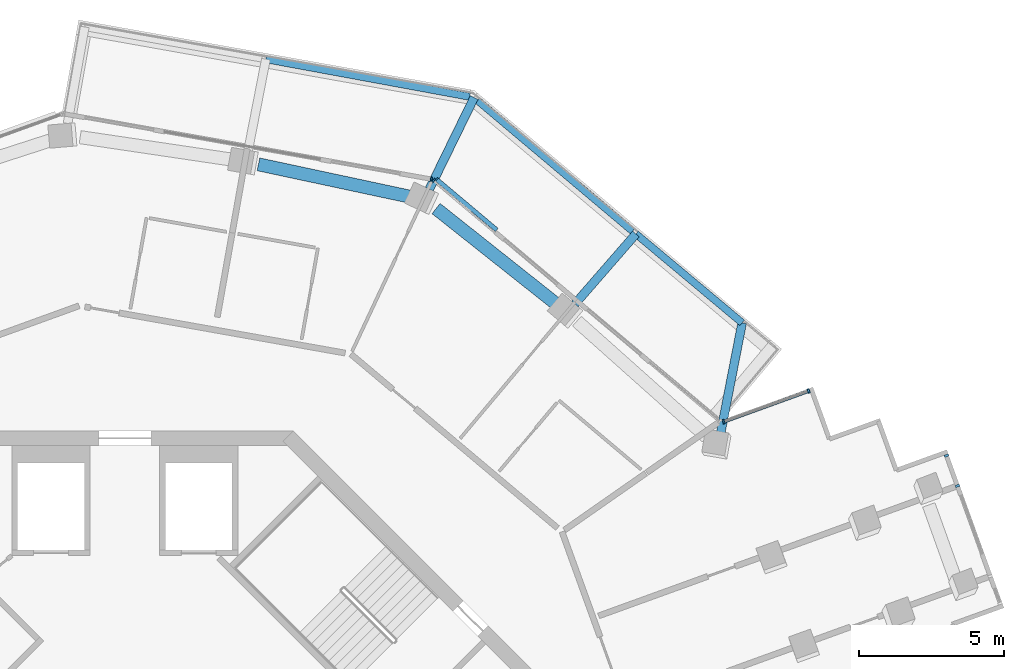
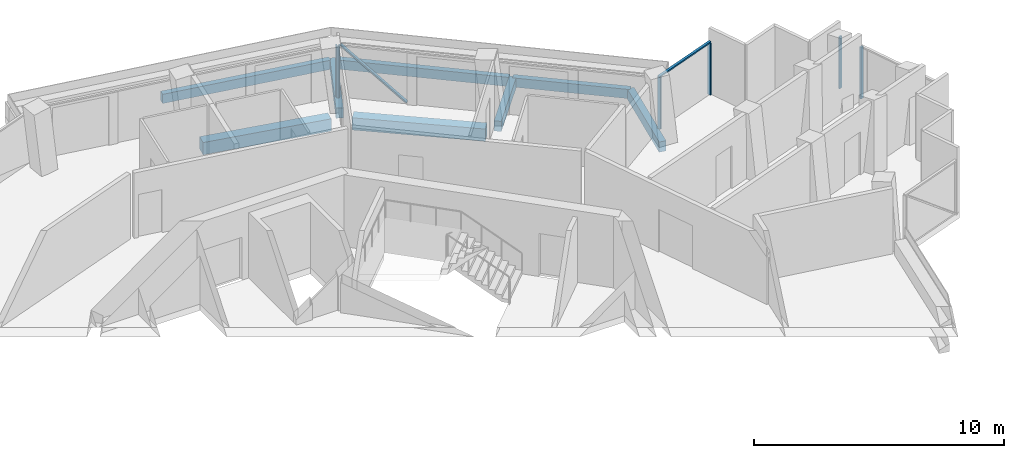
# One storey, part 8 of 22: 8 beams, 8 members, 4 elements without a shape of their own.
"""IFC4 building model written with IfcOpenShell, lengths in metres."""

from ifc_helpers import new_model, si_unit, direction, frame, origin, origin_2d, place, context, subcontext, project, spatial, rectangle, extrude, material, layer, layer_set, material_profile, profile_set, type_object, element, aggregate, save


model = new_model("IFC4")

# Units and contexts
model_context = context("Model", 3, precision=1e-05, world=origin(), true_north=direction((0.0, 1.0)))
body_context = subcontext(model_context, "Body", "Model", "MODEL_VIEW")
ifc_project = project(units=[si_unit("LENGTHUNIT", "METRE"), si_unit("AREAUNIT", "SQUARE_METRE"), si_unit("VOLUMEUNIT", "CUBIC_METRE"), si_unit("PLANEANGLEUNIT", "RADIAN"), si_unit("MASSUNIT", "GRAM", prefix="KILO")], contexts=[model_context])

# Site, building, storey
site_placement = place(None, origin())
site = spatial("IfcSite", under=ifc_project, at=site_placement, CompositionType="ELEMENT")
building_placement = place(site_placement, origin())
building = spatial("IfcBuilding", under=site, at=building_placement, Name="Verdalira Terraces Hotel", CompositionType="ELEMENT")
storey_placement = place(building_placement, frame((0.0, 0.0, 237.5)))
storey = spatial("IfcBuildingStorey", under=building, at=storey_placement, Name="L58", CompositionType="ELEMENT", Elevation=237.5)

# Beams
ifc_material_1 = material(Name="Concrete C40", Category="concrete")
ifc_material_profile_1 = material_profile(ifc_material_1, rectangle(XDim=0.300049, YDim=0.5, at=origin_2d()), Name="RC 300X500")
ifc_profile_set_1 = profile_set([ifc_material_profile_1], Name="Concrete C40")
beam_type_1 = type_object("IfcBeamType", Name="Balcony cantilever beam RC 300X500 C40", PredefinedType="BEAM", material=ifc_profile_set_1)
beam_1_placement = place(storey_placement, frame((20.531006, 13.851318, -0.560059), z_axis=(0.191537951, 0.981485208, 0.0), x_axis=(-0.981485208, 0.191537951, 0.0)))
element("IfcBeam", 1, at=beam_1_placement, inside=storey, type_object=beam_type_1, Name="Balcony cantilever beam R39-1", PredefinedType="BEAM", context=body_context, shape_type="SweptSolid", body=[
    extrude(rectangle(XDim=0.300049, YDim=0.5, at=origin_2d()), origin(), (0.0, 0.0, 1.0), 3.950195),
])
beam_2_placement = place(storey_placement, frame((15.521973, 18.381104, -0.560059), z_axis=(0.656601631, 0.754237561, 0.0), x_axis=(-0.754237561, 0.656601631, 0.0)))
element("IfcBeam", 2, at=beam_2_placement, inside=storey, type_object=beam_type_1, Name="Balcony cantilever beam R39-2", PredefinedType="BEAM", context=body_context, shape_type="SweptSolid", body=[
    extrude(rectangle(XDim=0.300049, YDim=0.5, at=origin_2d()), origin(), (0.0, 0.0, 1.0), 3.200684),
])
beam_3_placement = place(storey_placement, frame((10.502441, 22.339844, -0.560059), z_axis=(0.439024454, 0.898475113, 0.0), x_axis=(-0.898475113, 0.439024454, 0.0)))
element("IfcBeam", 3, at=beam_3_placement, inside=storey, type_object=beam_type_1, Name="Balcony cantilever beam R39-3", PredefinedType="BEAM", context=body_context, shape_type="SweptSolid", body=[
    extrude(rectangle(XDim=0.300049, YDim=0.5, at=origin_2d()), origin(), (0.0, 0.0, 1.0), 3.513916),
])
ifc_material_2 = material(Name="Concrete C40", Category="concrete")
ifc_material_profile_2 = material_profile(ifc_material_2, rectangle(XDim=0.25, YDim=0.449951, at=origin_2d()), Name="RC 250X450")
ifc_profile_set_2 = profile_set([ifc_material_profile_2], Name="Concrete C40")
beam_type_2 = type_object("IfcBeamType", Name="Balcony edge beam RC 250X450 C40", PredefinedType="BEAM", material=ifc_profile_set_2)
beam_4_placement = place(storey_placement, frame((21.287598, 17.728271, -0.534912), z_axis=(-0.766829022, 0.641851424, 0.0), x_axis=(-0.641851424, -0.766829022, 0.0)))
element("IfcBeam", 4, at=beam_4_placement, inside=storey, type_object=beam_type_2, Name="Balcony edge beam R39-1", PredefinedType="BEAM", context=body_context, shape_type="SweptSolid", body=[
    extrude(rectangle(XDim=0.25, YDim=0.449951, at=origin_2d()), origin(), (0.0, 0.0, 1.0), 4.77832),
])
beam_5_placement = place(storey_placement, frame((17.508789, 20.891846, -0.534912), z_axis=(-0.7646168, 0.644485181, 0.0), x_axis=(-0.644485181, -0.7646168, 0.0)))
element("IfcBeam", 5, at=beam_5_placement, inside=storey, type_object=beam_type_2, Name="Balcony edge beam R39-2", PredefinedType="BEAM", context=body_context, shape_type="SweptSolid", body=[
    extrude(rectangle(XDim=0.25, YDim=0.449951, at=origin_2d()), origin(), (0.0, 0.0, 1.0), 6.990967),
])
beam_6_placement = place(storey_placement, frame((11.891846, 25.525391, -0.534912), z_axis=(-0.983429632, 0.181290263, 0.0), x_axis=(-0.181290263, -0.983429632, 0.0)))
element("IfcBeam", 6, at=beam_6_placement, inside=storey, type_object=beam_type_2, Name="Balcony edge beam R39-3", PredefinedType="BEAM", context=body_context, shape_type="SweptSolid", body=[
    extrude(rectangle(XDim=0.25, YDim=0.449951, at=origin_2d()), origin(), (0.0, 0.0, 1.0), 7.145508),
])

# Curtain wall, member
ifc_material_3 = material(Name="Clear glass", Category="glass")
ifc_layer_1 = layer(ifc_material_3, 0.14990234375)
ifc_layer_set_1 = layer_set([ifc_layer_1], Name="CW1 curtain wall")
curtain_wall_type_1 = type_object("IfcCurtainWallType", Name="CW1 curtain wall", PredefinedType="NOTDEFINED", material=ifc_layer_set_1)
curtain_wall_1_placement = place(storey_placement, origin())
curtain_wall_1 = element("IfcCurtainWall", 7, at=curtain_wall_1_placement, inside=storey, type_object=curtain_wall_type_1, Name="CW1 curtain wall L58 edge 39", PredefinedType="NOTDEFINED")
ifc_material_4 = material(Name="Terracotta frame", Category="masonry")
ifc_material_profile_3 = material_profile(ifc_material_4, rectangle(XDim=0.060059, YDim=0.149902, at=origin_2d()), Name="MU 60x150")
ifc_profile_set_3 = profile_set([ifc_material_profile_3], Name="Terracotta frame")
member_type_1 = type_object("IfcMemberType", Name="CW1 mullion 60x150", PredefinedType="MULLION", material=ifc_profile_set_3)
member_1_placement = place(storey_placement, frame((10.650879, 22.643555, 0.0), z_axis=(0.0, 0.0, 1.0), x_axis=(-0.765146196, 0.643856583, 0.0)))
member_1 = element("IfcMember", 8, at=member_1_placement, type_object=member_type_1, Name="CW1 mullion", PredefinedType="MULLION", context=body_context, shape_type="SweptSolid", body=[
    extrude(rectangle(XDim=0.060059, YDim=0.149902, at=origin_2d()), origin(), (0.0, 0.0, 1.0), 2.524902),
])

curtain_wall_2_placement = place(storey_placement, origin())
curtain_wall_2 = element("IfcCurtainWall", 9, at=curtain_wall_2_placement, inside=storey, type_object=curtain_wall_type_1, Name="CW1 curtain wall L58 edge 40", PredefinedType="NOTDEFINED")
member_2_placement = place(storey_placement, frame((10.563232, 22.68457, 0.0), z_axis=(0.0, 0.0, 1.0), x_axis=(-0.984564335, 0.175023059, 0.0)))
member_2 = element("IfcMember", 10, at=member_2_placement, type_object=member_type_1, Name="CW1 mullion", PredefinedType="MULLION", context=body_context, shape_type="SweptSolid", body=[
    extrude(rectangle(XDim=0.060059, YDim=0.149902, at=origin_2d()), origin(), (0.0, 0.0, 1.0), 2.524902),
])
aggregate(curtain_wall_2, [member_2])

# Curtain wall, members
ifc_material_5 = material(Name="Clear glass", Category="glass")
ifc_layer_2 = layer(ifc_material_5, 0.14990234375)
ifc_layer_set_2 = layer_set([ifc_layer_2], Name="CW2 curtain wall")
curtain_wall_type_2 = type_object("IfcCurtainWallType", Name="CW2 curtain wall", PredefinedType="NOTDEFINED", material=ifc_layer_set_2)
curtain_wall_3_placement = place(storey_placement, origin())
curtain_wall_3 = element("IfcCurtainWall", 11, at=curtain_wall_3_placement, inside=storey, type_object=curtain_wall_type_2, Name="CW2 curtain wall L58 edge 38", PredefinedType="NOTDEFINED")
ifc_material_6 = material(Name="Terracotta frame", Category="masonry")
ifc_material_profile_4 = material_profile(ifc_material_6, rectangle(XDim=0.070068, YDim=0.149902, at=origin_2d()), Name="MU 70x150")
ifc_profile_set_4 = profile_set([ifc_material_profile_4], Name="Terracotta frame")
member_type_2 = type_object("IfcMemberType", Name="CW2 mullion 70x150", PredefinedType="MULLION", material=ifc_profile_set_4)
member_3_placement = place(storey_placement, frame((23.580566, 15.37915, 0.0), z_axis=(0.0, 0.0, 1.0), x_axis=(-0.940169255, -0.340707752, 0.0)))
member_3 = element("IfcMember", 12, at=member_3_placement, type_object=member_type_2, Name="CW2 mullion", PredefinedType="MULLION", context=body_context, shape_type="SweptSolid", body=[
    extrude(rectangle(XDim=0.070068, YDim=0.149902, at=origin_2d()), origin(), (0.0, 0.0, 1.0), 2.524902),
])
member_4_placement = place(storey_placement, frame((20.650879, 14.317627, 0.0), z_axis=(0.0, 0.0, 1.0), x_axis=(-0.940169255, -0.340707752, 0.0)))
member_4 = element("IfcMember", 13, at=member_4_placement, type_object=member_type_2, Name="CW2 mullion", PredefinedType="MULLION", context=body_context, shape_type="SweptSolid", body=[
    extrude(rectangle(XDim=0.070068, YDim=0.149902, at=origin_2d()), origin(), (0.0, 0.0, 1.0), 2.524902),
])
ifc_material_7 = material(Name="Terracotta frame", Category="masonry")
ifc_material_profile_5 = material_profile(ifc_material_7, rectangle(XDim=0.11499, YDim=0.064941, at=origin_2d()), Name="TR 65x115")
ifc_profile_set_5 = profile_set([ifc_material_profile_5], Name="Terracotta frame")
member_type_3 = type_object("IfcMemberType", Name="CW2 transom 65x115", PredefinedType="USERDEFINED", material=ifc_profile_set_5)
member_5_placement = place(storey_placement, frame((23.613525, 15.391113, 2.557617), z_axis=(-0.940182088, -0.340672336, 0.0), x_axis=(0.340672336, -0.940182088, 0.0)))
member_5 = element("IfcMember", 14, at=member_5_placement, type_object=member_type_3, Name="CW2 transom", ObjectType="TRANSOM", PredefinedType="USERDEFINED", context=body_context, shape_type="SweptSolid", body=[
    extrude(rectangle(XDim=0.11499, YDim=0.064941, at=origin_2d()), origin(), (0.0, 0.0, 1.0), 3.186279),
])
aggregate(curtain_wall_3, [member_3, member_4, member_5])

ifc_material_8 = material(Name="Clear glass", Category="glass")
ifc_layer_3 = layer(ifc_material_8, 0.14990234375)
ifc_layer_set_3 = layer_set([ifc_layer_3], Name="CW3 curtain wall")
curtain_wall_type_3 = type_object("IfcCurtainWallType", Name="CW3 curtain wall", PredefinedType="NOTDEFINED", material=ifc_layer_set_3)
curtain_wall_4_placement = place(storey_placement, origin())
curtain_wall_4 = element("IfcCurtainWall", 15, at=curtain_wall_4_placement, inside=storey, type_object=curtain_wall_type_3, Name="CW3 curtain wall L58 edge 33", PredefinedType="NOTDEFINED")
ifc_material_9 = material(Name="Terracotta frame", Category="masonry")
ifc_material_profile_6 = material_profile(ifc_material_9, rectangle(XDim=0.080078, YDim=0.149902, at=origin_2d()), Name="MU 80x150")
ifc_profile_set_6 = profile_set([ifc_material_profile_6], Name="Terracotta frame")
member_type_4 = type_object("IfcMemberType", Name="CW3 mullion 80x150", PredefinedType="MULLION", material=ifc_profile_set_6)
member_6_placement = place(storey_placement, frame((28.712646, 12.106934, 0.0), z_axis=(0.0, 0.0, 1.0), x_axis=(-0.340707752, 0.940169255, 0.0)))
member_6 = element("IfcMember", 16, at=member_6_placement, type_object=member_type_4, Name="CW3 mullion", PredefinedType="MULLION", context=body_context, shape_type="SweptSolid", body=[
    extrude(rectangle(XDim=0.080078, YDim=0.149902, at=origin_2d()), origin(), (0.0, 0.0, 1.0), 2.524902),
])
member_7_placement = place(storey_placement, frame((28.334473, 13.150635, 0.0), z_axis=(0.0, 0.0, 1.0), x_axis=(-0.340707752, 0.940169255, 0.0)))
member_7 = element("IfcMember", 17, at=member_7_placement, type_object=member_type_4, Name="CW3 mullion", PredefinedType="MULLION", context=body_context, shape_type="SweptSolid", body=[
    extrude(rectangle(XDim=0.080078, YDim=0.149902, at=origin_2d()), origin(), (0.0, 0.0, 1.0), 2.524902),
])
aggregate(curtain_wall_4, [member_6, member_7])

# Member
ifc_material_10 = material(Name="Terracotta frame", Category="masonry")
ifc_material_profile_7 = material_profile(ifc_material_10, rectangle(XDim=0.149902, YDim=0.060059, at=origin_2d()), Name="GB 60x150")
ifc_profile_set_7 = profile_set([ifc_material_profile_7], Name="Terracotta frame")
member_type_5 = type_object("IfcMemberType", Name="Diagonal glazing bar 60x150", PredefinedType="USERDEFINED", material=ifc_profile_set_7)
member_8_placement = place(storey_placement, frame((12.807129, 20.945557, 0.023438), z_axis=(-0.562542961, 0.473326746, 0.67786961), x_axis=(-0.643822415, -0.765174946, 0.0)))
member_8 = element("IfcMember", 18, at=member_8_placement, type_object=member_type_5, Name="Diagonal glazing bar", ObjectType="GLAZING BAR", PredefinedType="USERDEFINED", context=body_context, shape_type="SweptSolid", body=[
    extrude(rectangle(XDim=0.149902, YDim=0.060059, at=origin_2d()), origin(), (0.0, 0.0, 1.0), 3.656006),
])

aggregate(curtain_wall_1, [member_1, member_8])

# Beams
ifc_material_11 = material(Name="Concrete C40", Category="concrete")
ifc_material_profile_8 = material_profile(ifc_material_11, rectangle(XDim=0.449951, YDim=0.600098, at=origin_2d()), Name="RC 450X600")
ifc_profile_set_8 = profile_set([ifc_material_profile_8], Name="Concrete C40")
beam_type_3 = type_object("IfcBeamType", Name="Spandrel beam RC 450X600 C40", PredefinedType="SPANDREL", material=ifc_profile_set_8)
beam_7_placement = place(storey_placement, frame((14.957764, 18.316895, -0.610107), z_axis=(-0.783423212, 0.621488593, 0.0), x_axis=(-0.621488593, -0.783423212, 0.0)))
element("IfcBeam", 19, at=beam_7_placement, inside=storey, type_object=beam_type_3, Name="Spandrel beam B19", PredefinedType="SPANDREL", context=body_context, shape_type="SweptSolid", body=[
    extrude(rectangle(XDim=0.449951, YDim=0.600098, at=origin_2d()), origin(), (0.0, 0.0, 1.0), 5.394287),
])
beam_8_placement = place(storey_placement, frame((9.884277, 22.066895, -0.610107), z_axis=(-0.977896982, 0.209087285, 0.0), x_axis=(-0.209087285, -0.977896982, 0.0)))
element("IfcBeam", 20, at=beam_8_placement, inside=storey, type_object=beam_type_3, Name="Spandrel beam B20", PredefinedType="SPANDREL", context=body_context, shape_type="SweptSolid", body=[
    extrude(rectangle(XDim=0.449951, YDim=0.600098, at=origin_2d()), origin(), (0.0, 0.0, 1.0), 5.396973),
])

save(model, "model.ifc")
